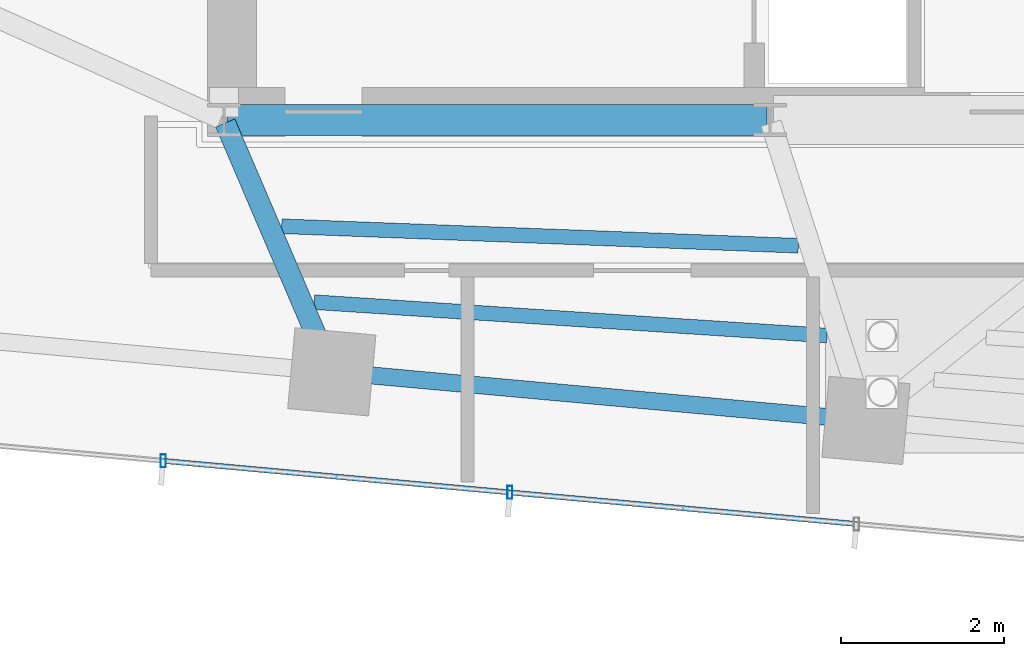
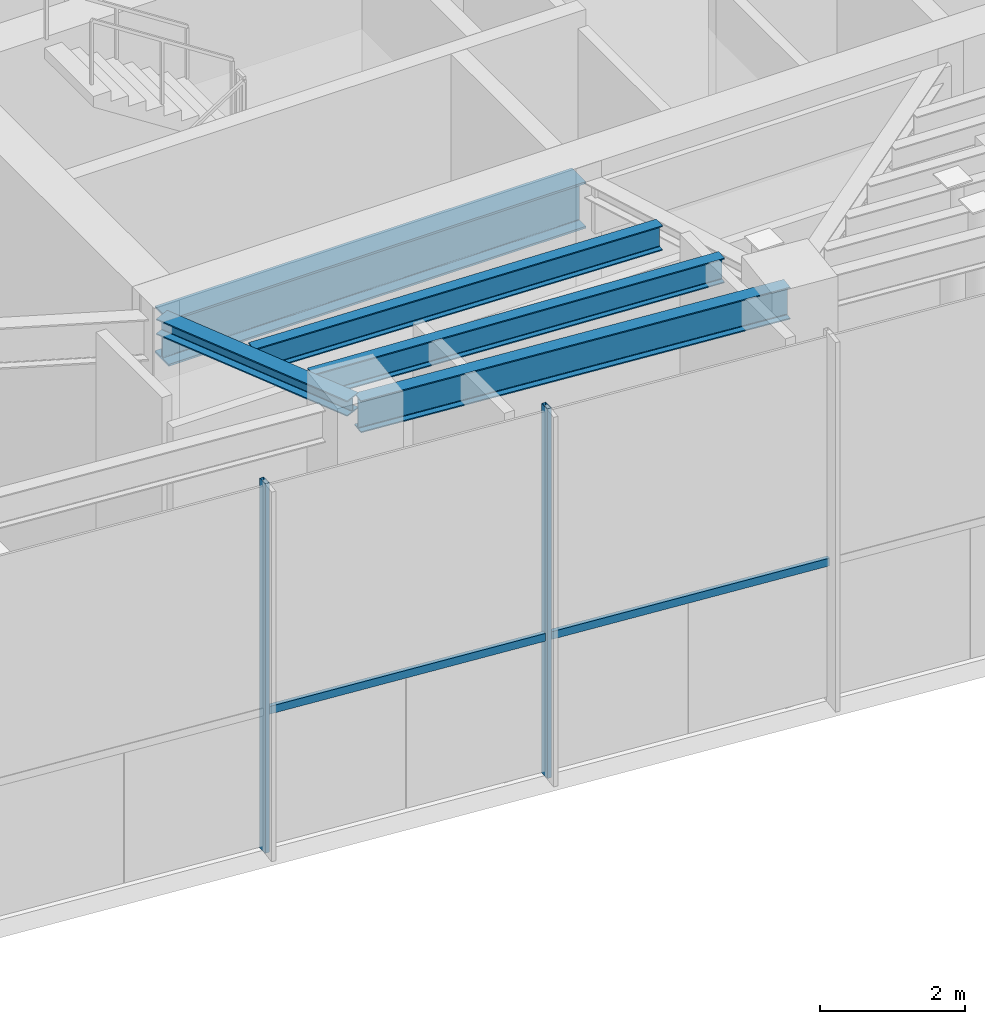
# One storey, part 3 of 14: 5 beams, 4 members, 1 element without a shape of its own.
"""IFC4 building model written with IfcOpenShell, lengths in metres."""

from ifc_helpers import new_model, si_unit, direction, frame, origin, origin_2d, place, context, subcontext, project, spatial, hollow_rectangle, i_section, extrude, source, transform, mapped, material, material_profile, profile_set, type_object, type_shapes, element, aggregate, save


model = new_model("IFC4")

# Units and contexts
model_context = context("Model", 3, precision=1e-05, world=origin(), true_north=direction((0.0, 1.0)))
body_context = subcontext(model_context, "Body", "Model", "MODEL_VIEW")
ifc_project = project(units=[si_unit("LENGTHUNIT", "METRE"), si_unit("AREAUNIT", "SQUARE_METRE"), si_unit("VOLUMEUNIT", "CUBIC_METRE"), si_unit("PLANEANGLEUNIT", "RADIAN"), si_unit("MASSUNIT", "GRAM", prefix="KILO")], contexts=[model_context])

# Site, building, storey
site_placement = place(None, origin())
site = spatial("IfcSite", under=ifc_project, at=site_placement, CompositionType="ELEMENT")
building_placement = place(site_placement, origin())
building = spatial("IfcBuilding", under=site, at=building_placement, Name="Astriad Promenade Condominiums", CompositionType="ELEMENT")
storey_placement = place(building_placement, frame((0.0, 0.0, 270.800048828125)))
storey = spatial("IfcBuildingStorey", under=building, at=storey_placement, Name="L77", CompositionType="ELEMENT", Elevation=270.800048828125)

# Beams
ifc_material_1 = material(Name="Steel ASTM A992 Grade 50", Category="steel")
ifc_material_profile_1 = material_profile(ifc_material_1, i_section(OverallWidth=0.3837890625, OverallDepth=0.785888671875, WebThickness=0.019775390625, FlangeThickness=0.033447265625, FilletRadius=0.021484375, at=origin_2d()), Name="W30X211")
ifc_profile_set_1 = profile_set([ifc_material_profile_1], Name="Steel ASTM A992 Grade 50")
beam_type_1 = type_object("IfcBeamType", Name="STEEL FLOOR GIRDER W30X211", PredefinedType="BEAM", material=ifc_profile_set_1)
shared_shape_1 = source(origin(), body_context, "Body", "SweptSolid", [
    extrude(i_section(OverallWidth=0.3837890625, OverallDepth=0.785888671875, WebThickness=0.019775390625, FlangeThickness=0.033447265625, FilletRadius=0.021484375, at=origin_2d()), origin(), (0.0, 0.0, 1.0), 6.64013671875),
])
type_shapes(beam_type_1, [shared_shape_1])
beam_1_placement = place(storey_placement, frame((26.43994140625, 17.39990234375, 5.826904296875), z_axis=(1.0, 0.0, 0.0), x_axis=(0.0, 1.0, 0.0)))
element("IfcBeam", 1, at=beam_1_placement, inside=storey, type_object=beam_type_1, Name="Core Ring Beam CG-S1-L77", PredefinedType="BEAM", context=body_context, shape_type="MappedRepresentation", body=[
    mapped(shared_shape_1, transform((0.0, 0.0, 0.0), scale=1.0)),
])
ifc_material_profile_2 = material_profile(ifc_material_1, i_section(OverallWidth=0.210693359375, OverallDepth=0.53955078125, WebThickness=0.01171875, FlangeThickness=0.018798828125, FilletRadius=0.0166015625, at=origin_2d()), Name="W21X73")
ifc_profile_set_2 = profile_set([ifc_material_profile_2], Name="Steel ASTM A992 Grade 50")
beam_type_2 = type_object("IfcBeamType", Name="STEEL SPANDREL BEAM W21X73", PredefinedType="SPANDREL", material=ifc_profile_set_2)
shared_shape_2 = source(origin(), body_context, "Body", "SweptSolid", [
    extrude(i_section(OverallWidth=0.210693359375, OverallDepth=0.53955078125, WebThickness=0.01171875, FlangeThickness=0.018798828125, FilletRadius=0.0166015625, at=origin_2d()), origin(), (0.0, 0.0, 1.0), 6.520263671875),
])
type_shapes(beam_type_2, [shared_shape_2])
beam_2_placement = place(storey_placement, frame((27.7666015625, 14.29736328125, 5.9501953125), z_axis=(0.9958827648, -0.090650531022, 0.0), x_axis=(0.090650531022, 0.9958827648, 0.0)))
element("IfcBeam", 2, at=beam_2_placement, inside=storey, type_object=beam_type_2, Name="Perimeter Spandrel Beam SP-S2-L77", PredefinedType="SPANDREL", context=body_context, shape_type="MappedRepresentation", body=[
    mapped(shared_shape_2, transform((0.0, 0.0, 0.0), scale=1.0)),
])
ifc_material_profile_3 = material_profile(ifc_material_1, i_section(OverallWidth=0.25732421875, OverallDepth=0.26416015625, WebThickness=0.011962890625, FlangeThickness=0.01953125, FilletRadius=0.0126953125, at=origin_2d()), Name="W10X68")
ifc_profile_set_3 = profile_set([ifc_material_profile_3], Name="Steel ASTM A992 Grade 50")
beam_type_3 = type_object("IfcBeamType", Name="STEEL CANOPY BEAM W10X68", PredefinedType="BEAM", material=ifc_profile_set_3)
shared_shape_3 = source(origin(), body_context, "Body", "SweptSolid", [
    extrude(i_section(OverallWidth=0.25732421875, OverallDepth=0.26416015625, WebThickness=0.011962890625, FlangeThickness=0.01953125, FilletRadius=0.0126953125, at=origin_2d()), origin(), (0.0, 0.0, 1.0), 3.291259765625),
])
type_shapes(beam_type_3, [shared_shape_3])
beam_3_placement = place(storey_placement, frame((27.711181640625, 14.337646484375, 6.087890625), z_axis=(-0.39358803023, 0.919286931518, 0.0), x_axis=(-0.919286931518, -0.39358803023, 0.0)))
element("IfcBeam", 3, at=beam_3_placement, inside=storey, type_object=beam_type_3, Name="Primary Floor Girder PG-W2-L77", PredefinedType="BEAM", context=body_context, shape_type="MappedRepresentation", body=[
    mapped(shared_shape_3, transform((0.0, 0.0, 0.0), scale=1.0)),
])
ifc_material_profile_4 = material_profile(ifc_material_1, i_section(OverallWidth=0.180908203125, OverallDepth=0.417236328125, WebThickness=0.010986328125, FlangeThickness=0.018310546875, FilletRadius=0.013916015625, at=origin_2d()), Name="W16X57")
ifc_profile_set_4 = profile_set([ifc_material_profile_4], Name="Steel ASTM A992 Grade 50")
beam_type_4 = type_object("IfcBeamType", Name="STEEL FLOOR JOIST W16X57", PredefinedType="JOIST", material=ifc_profile_set_4)
shared_shape_4 = source(origin(), body_context, "Body", "SweptSolid", [
    extrude(i_section(OverallWidth=0.180908203125, OverallDepth=0.417236328125, WebThickness=0.010986328125, FlangeThickness=0.018310546875, FilletRadius=0.013916015625, at=origin_2d()), origin(), (0.0, 0.0, 1.0), 6.32568359375),
])
beam_4_placement = place(storey_placement, frame((27.50927734375, 15.15869140625, 6.01123046875), z_axis=(0.997885605656, -0.064994753816, 0.0), x_axis=(0.064994753816, 0.997885605656, 0.0)))
element("IfcBeam", 4, at=beam_4_placement, inside=storey, type_object=beam_type_4, Name="Secondary Composite Floor Joist JCW-2-L77", PredefinedType="JOIST", context=body_context, shape_type="MappedRepresentation", body=[
    mapped(shared_shape_4, transform((0.0, 0.0, 0.0), scale=1.0)),
])
shared_shape_5 = source(origin(), body_context, "Body", "SweptSolid", [
    extrude(i_section(OverallWidth=0.180908203125, OverallDepth=0.417236328125, WebThickness=0.010986328125, FlangeThickness=0.018310546875, FilletRadius=0.013916015625, at=origin_2d()), origin(), (0.0, 0.0, 1.0), 6.36376953125),
])
type_shapes(beam_type_4, [shared_shape_4, shared_shape_5])
beam_5_placement = place(storey_placement, frame((27.109619140625, 16.092529296875, 6.01123046875), z_axis=(0.999290071043, -0.037674313731, 0.0), x_axis=(0.037674313731, 0.999290071043, 0.0)))
element("IfcBeam", 5, at=beam_5_placement, inside=storey, type_object=beam_type_4, Name="Secondary Composite Floor Joist JCW-4-L77", PredefinedType="JOIST", context=body_context, shape_type="MappedRepresentation", body=[
    mapped(shared_shape_5, transform((0.0, 0.0, 0.0), scale=1.0)),
])

# Curtain wall, members
ifc_material_2 = material(Name="Anodised aluminium Black Dark Glass Unitised", Category="aluminium")
curtain_wall_type = type_object("IfcCurtainWallType", Name="CW-TMD-LANTERN", PredefinedType="USERDEFINED", material=ifc_material_2)
curtain_wall_placement = place(storey_placement, origin())
curtain_wall = element("IfcCurtainWall", 6, at=curtain_wall_placement, inside=storey, type_object=curtain_wall_type, Name="CW-LNT-L77-18-1", ObjectType="UNITISED_CURTAIN_WALL", PredefinedType="USERDEFINED")
ifc_material_3 = material(Name="Anodised aluminium 6063-T6 Black", Category="aluminium")
ifc_material_profile_5 = material_profile(ifc_material_3, hollow_rectangle(XDim=0.06494140625, YDim=0.1298828125, WallThickness=0.00390625, at=origin_2d()), Name="ALU-TRN-65X130")
ifc_profile_set_5 = profile_set([ifc_material_profile_5], Name="Anodised aluminium 6063-T6 Black")
member_type_1 = type_object("IfcMemberType", Name="TRN-ALU-TRN-65X130", PredefinedType="USERDEFINED", material=ifc_profile_set_5)
shared_shape_6 = source(origin(), body_context, "Body", "SweptSolid", [
    extrude(hollow_rectangle(XDim=0.06494140625, YDim=0.1298828125, WallThickness=0.00390625, at=origin_2d()), origin(), (0.0, 0.0, 1.0), 4.283203125),
])
member_1_placement = place(storey_placement, frame((34.18359375, 12.427978515625, 2.349853515625), z_axis=(-0.995879646467, 0.090684782368, 0.0), x_axis=(-0.090684782368, -0.995879646467, 0.0)))
member_1 = element("IfcMember", 7, at=member_1_placement, type_object=member_type_1, Name="CW-LNT-L77-18-1-TRN-03-0", ObjectType="TRANSOM", PredefinedType="USERDEFINED", context=body_context, shape_type="MappedRepresentation", body=[
    mapped(shared_shape_6, transform((0.0, 0.0, 0.0), scale=1.0)),
])
shared_shape_7 = source(origin(), body_context, "Body", "SweptSolid", [
    extrude(hollow_rectangle(XDim=0.06494140625, YDim=0.1298828125, WallThickness=0.00390625, at=origin_2d()), origin(), (0.0, 0.0, 1.0), 4.283447265625),
])
type_shapes(member_type_1, [shared_shape_6, shared_shape_7])
member_2_placement = place(storey_placement, frame((29.91796875, 12.81640625, 2.349853515625), z_axis=(-0.995885260617, 0.090623107903, 0.0), x_axis=(-0.090623107903, -0.995885260617, 0.0)))
member_2 = element("IfcMember", 8, at=member_2_placement, type_object=member_type_1, Name="CW-LNT-L77-18-1-TRN-04-0", ObjectType="TRANSOM", PredefinedType="USERDEFINED", context=body_context, shape_type="MappedRepresentation", body=[
    mapped(shared_shape_7, transform((0.0, 0.0, 0.0), scale=1.0)),
])
ifc_material_profile_6 = material_profile(ifc_material_3, hollow_rectangle(XDim=0.06494140625, YDim=0.159912109375, WallThickness=0.00390625, at=origin_2d()), Name="ALU-MUL-65X160")
ifc_profile_set_6 = profile_set([ifc_material_profile_6], Name="Anodised aluminium 6063-T6 Black")
member_type_2 = type_object("IfcMemberType", Name="MUL-ALU-MUL-65X160", PredefinedType="MULLION", material=ifc_profile_set_6)
shared_shape_8 = source(origin(), body_context, "Body", "SweptSolid", [
    extrude(hollow_rectangle(XDim=0.06494140625, YDim=0.159912109375, WallThickness=0.00390625, at=origin_2d()), origin(), (0.0, 0.0, 1.0), 6.219970703125),
])
type_shapes(member_type_2, [shared_shape_8])
member_3_placement = place(storey_placement, frame((29.91796875, 12.81640625, 0.0), z_axis=(0.0, 0.0, 1.0), x_axis=(1.0, 0.0, 0.0)))
member_3 = element("IfcMember", 9, at=member_3_placement, type_object=member_type_2, Name="CW-LNT-L77-18-1-MUL-04", PredefinedType="MULLION", context=body_context, shape_type="MappedRepresentation", body=[
    mapped(shared_shape_8, transform((0.0, 0.0, 0.0), scale=1.0)),
])
member_4_placement = place(storey_placement, frame((25.652099609375, 13.20458984375, 0.0), z_axis=(0.0, 0.0, 1.0), x_axis=(1.0, 0.0, 0.0)))
member_4 = element("IfcMember", 10, at=member_4_placement, type_object=member_type_2, Name="CW-LNT-L77-18-1-MUL-05", PredefinedType="MULLION", context=body_context, shape_type="MappedRepresentation", body=[
    mapped(shared_shape_8, transform((0.0, 0.0, 0.0), scale=1.0)),
])
aggregate(curtain_wall, [member_3, member_4, member_1, member_2])

save(model, "model.ifc")
